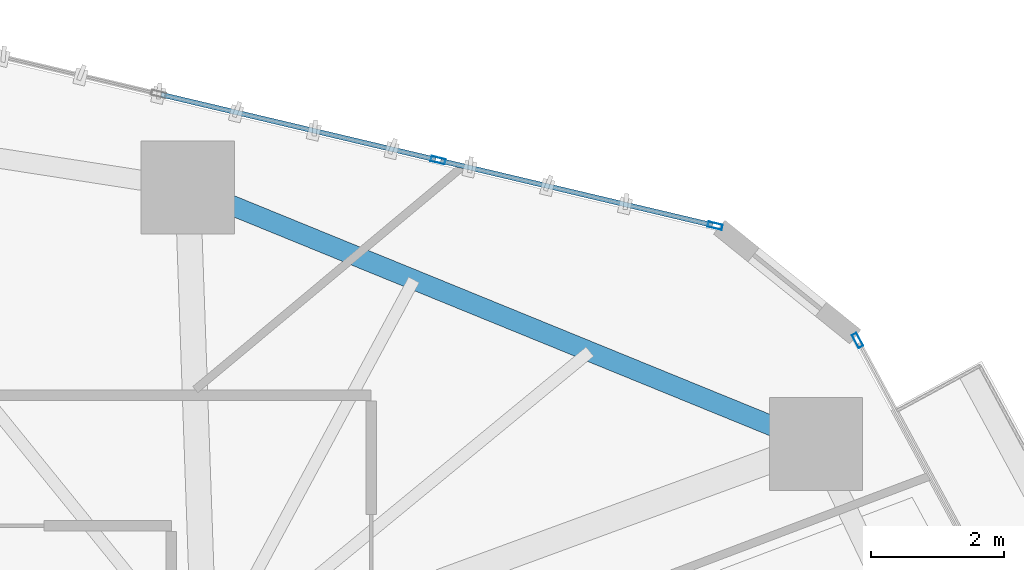
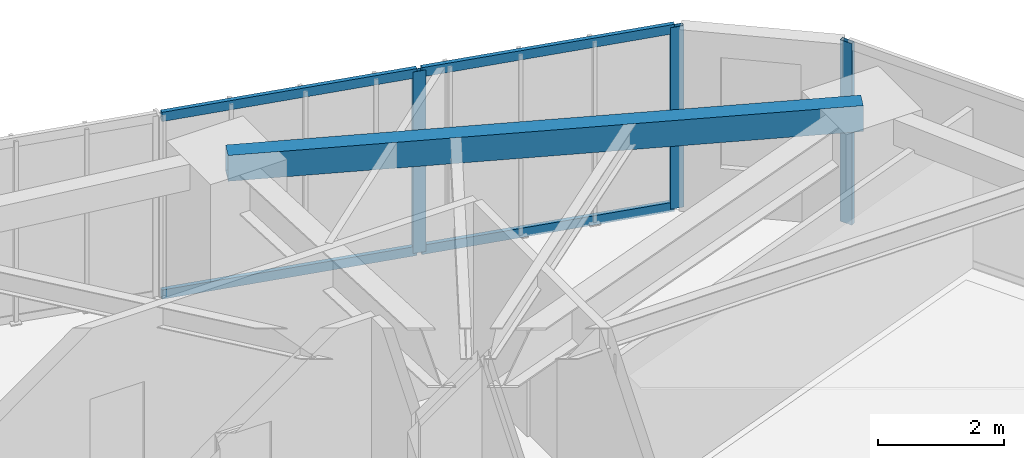
# One storey, part 15 of 23: 7 members, 1 beam, 2 elements without a shape of their own.
"""IFC4 building model written with IfcOpenShell, lengths in metres."""

from ifc_helpers import new_model, si_unit, direction, frame, origin, origin_2d, place, context, subcontext, project, spatial, hollow_rectangle, extrude, source, transform, mapped, material, layer, layer_set, material_profile, profile_set, type_object, type_shapes, element, aggregate, save


model = new_model("IFC4")

# Units and contexts
model_context = context("Model", 3, precision=1e-05, world=origin(), true_north=direction((0.0, 1.0)))
body_context = subcontext(model_context, "Body", "Model", "MODEL_VIEW")
ifc_project = project(units=[si_unit("LENGTHUNIT", "METRE"), si_unit("AREAUNIT", "SQUARE_METRE"), si_unit("VOLUMEUNIT", "CUBIC_METRE"), si_unit("PLANEANGLEUNIT", "RADIAN"), si_unit("MASSUNIT", "GRAM", prefix="KILO")], contexts=[model_context])

# Site, building, storey
site_placement = place(None, origin())
site = spatial("IfcSite", under=ifc_project, at=site_placement, CompositionType="ELEMENT")
building_placement = place(site_placement, origin())
building = spatial("IfcBuilding", under=site, at=building_placement, Name="Talar Marvaseh", CompositionType="ELEMENT")
storey_placement = place(building_placement, frame((0.0, 0.0, 50.60009765625)))
storey = spatial("IfcBuildingStorey", under=building, at=storey_placement, Name="L12", CompositionType="ELEMENT", Elevation=50.60009765625)

# Beam
ifc_material_1 = material(Name="Steel S355", Category="steel")
ifc_material_profile_1 = material_profile(ifc_material_1, hollow_rectangle(XDim=0.300048828125, YDim=0.5, WallThickness=0.02001953125, at=origin_2d()), Name="RHS500x300x20")
ifc_profile_set_1 = profile_set([ifc_material_profile_1], Name="Steel S355")
beam_type = type_object("IfcBeamType", Name="Zone 1 Perimeter Spandrel Beam RHS500x300x20", PredefinedType="SPANDREL", material=ifc_profile_set_1)
beam_placement = place(storey_placement, frame((33.0458984375, 44.117919921875, 3.27001953125), z_axis=(0.92586732306, -0.377848779395, 0.0), x_axis=(0.377848779395, 0.92586732306, 0.0)))
element("IfcBeam", 1, at=beam_placement, inside=storey, type_object=beam_type, Name="L12 Zone 1 Perimeter Spandrel Beam RHS500x300x20", PredefinedType="SPANDREL", context=body_context, shape_type="SweptSolid", body=[
    extrude(hollow_rectangle(XDim=0.300048828125, YDim=0.5, WallThickness=0.02001953125, at=origin_2d()), origin(), (0.0, 0.0, 1.0), 10.186279296875),
])

# Curtain wall, members
ifc_material_2 = material(Name="Architectural Aluminium", Category="aluminium")
ifc_layer = layer(ifc_material_2, 0.219970703125)
ifc_layer_set = layer_set([ifc_layer], Name="Architectural Aluminium")
curtain_wall_type = type_object("IfcCurtainWallType", Name="Unitised Low-E Museum Curtain Wall Z1", PredefinedType="NOTDEFINED", material=ifc_layer_set)
curtain_wall_1_placement = place(storey_placement, origin())
curtain_wall_1 = element("IfcCurtainWall", 2, at=curtain_wall_1_placement, inside=storey, type_object=curtain_wall_type, Name="L12 Unitised Low-E Museum Curtain Wall Z1", PredefinedType="NOTDEFINED")
ifc_material_profile_2 = material_profile(ifc_material_2, hollow_rectangle(XDim=0.080078125, YDim=0.219970703125, WallThickness=0.0048828125, at=origin_2d()), Name="RHS220x80x5")
ifc_profile_set_2 = profile_set([ifc_material_profile_2], Name="Architectural Aluminium")
member_type_1 = type_object("IfcMemberType", Name="Unitised Curtain Wall Heavy Mullion RHS220x80x5", PredefinedType="MULLION", material=ifc_profile_set_2)
shared_shape_1 = source(origin(), body_context, "Body", "SweptSolid", [
    extrude(hollow_rectangle(XDim=0.080078125, YDim=0.219970703125, WallThickness=0.0048828125, at=origin_2d()), origin(), (0.0, 0.0, 1.0), 3.52001953125),
])
type_shapes(member_type_1, [shared_shape_1])
member_1_placement = place(storey_placement, frame((36.803955078125, 44.52734375, 0.0), z_axis=(0.0, 0.0, 1.0), x_axis=(0.230351815158, 0.973107415064, 0.0)))
member_1 = element("IfcMember", 3, at=member_1_placement, type_object=member_type_1, Name="CW-Z1 mullion 4", PredefinedType="MULLION", context=body_context, shape_type="MappedRepresentation", body=[
    mapped(shared_shape_1, transform((0.0, 0.0, 0.0), x_axis=(1.0, 0.0, 0.0), y_axis=(0.0, 1.0, 0.0), z_axis=(0.0, 0.0, 1.0), scale=1.0)),
])
member_2_placement = place(storey_placement, frame((40.9609375, 43.543212890625, 0.0), z_axis=(0.0, 0.0, 1.0), x_axis=(0.230351815158, 0.973107415064, 0.0)))
member_2 = element("IfcMember", 4, at=member_2_placement, type_object=member_type_1, Name="CW-Z1 mullion 5", PredefinedType="MULLION", context=body_context, shape_type="MappedRepresentation", body=[
    mapped(shared_shape_1, transform((0.0, 0.0, 0.0), x_axis=(1.0, 0.0, 0.0), y_axis=(0.0, 1.0, 0.0), z_axis=(0.0, 0.0, 1.0), scale=1.0)),
])

# Curtain wall, member
curtain_wall_2_placement = place(storey_placement, origin())
curtain_wall_2 = element("IfcCurtainWall", 5, at=curtain_wall_2_placement, inside=storey, type_object=curtain_wall_type, Name="L12 Unitised Low-E Museum Curtain Wall Z1", PredefinedType="NOTDEFINED")
member_3_placement = place(storey_placement, frame((43.100341796875, 41.822509765625, 0.0), z_axis=(0.0, 0.0, 1.0), x_axis=(0.879620132192, 0.475676805238, 0.0)))
member_3 = element("IfcMember", 6, at=member_3_placement, type_object=member_type_1, Name="CW-Z1 mullion 1", PredefinedType="MULLION", context=body_context, shape_type="MappedRepresentation", body=[
    mapped(shared_shape_1, transform((0.0, 0.0, 0.0), x_axis=(1.0, 0.0, 0.0), y_axis=(0.0, 1.0, 0.0), z_axis=(0.0, 0.0, 1.0), scale=1.0)),
])
aggregate(curtain_wall_2, [member_3])

# Member
ifc_material_profile_3 = material_profile(ifc_material_2, hollow_rectangle(XDim=0.074951171875, YDim=0.179931640625, WallThickness=0.0048828125, at=origin_2d()), Name="RHS180x75x5")
ifc_profile_set_3 = profile_set([ifc_material_profile_3], Name="Architectural Aluminium")
member_type_2 = type_object("IfcMemberType", Name="Unitised Curtain Wall Transom RHS180x75x5", PredefinedType="USERDEFINED", material=ifc_profile_set_3)
shared_shape_2 = source(origin(), body_context, "Body", "SweptSolid", [
    extrude(hollow_rectangle(XDim=0.074951171875, YDim=0.179931640625, WallThickness=0.0048828125, at=origin_2d()), origin(), (0.0, 0.0, 1.0), 4.19189453125),
])
member_4_placement = place(storey_placement, frame((36.843017578125, 44.51806640625, 0.037353515625), z_axis=(0.973108465555, -0.23034737738, 0.0), x_axis=(0.23034737738, 0.973108465555, 0.0)))
member_4 = element("IfcMember", 7, at=member_4_placement, type_object=member_type_2, Name="CW-Z1 transom 4.1", ObjectType="TRANSOM", PredefinedType="USERDEFINED", context=body_context, shape_type="MappedRepresentation", body=[
    mapped(shared_shape_2, transform((0.0, 0.0, 0.0), x_axis=(1.0, 0.0, 0.0), y_axis=(0.0, 1.0, 0.0), z_axis=(0.0, 0.0, 1.0), scale=1.0)),
])

member_5_placement = place(storey_placement, frame((36.843017578125, 44.51806640625, 3.482421875), z_axis=(0.973108465555, -0.23034737738, 0.0), x_axis=(0.23034737738, 0.973108465555, 0.0)))
member_5 = element("IfcMember", 8, at=member_5_placement, type_object=member_type_2, Name="CW-Z1 transom 4.2", ObjectType="TRANSOM", PredefinedType="USERDEFINED", context=body_context, shape_type="MappedRepresentation", body=[
    mapped(shared_shape_2, transform((0.0, 0.0, 0.0), x_axis=(1.0, 0.0, 0.0), y_axis=(0.0, 1.0, 0.0), z_axis=(0.0, 0.0, 1.0), scale=1.0)),
])

shared_shape_3 = source(origin(), body_context, "Body", "SweptSolid", [
    extrude(hollow_rectangle(XDim=0.074951171875, YDim=0.179931640625, WallThickness=0.0048828125, at=origin_2d()), origin(), (0.0, 0.0, 1.0), 4.23193359375),
])
type_shapes(member_type_2, [shared_shape_2, shared_shape_3])
member_6_placement = place(storey_placement, frame((32.64697265625, 45.511474609375, 0.037353515625), z_axis=(0.973106837124, -0.230354256618, 0.0), x_axis=(0.230354256618, 0.973106837124, 0.0)))
member_6 = element("IfcMember", 9, at=member_6_placement, type_object=member_type_2, Name="CW-Z1 transom 3.1", ObjectType="TRANSOM", PredefinedType="USERDEFINED", context=body_context, shape_type="MappedRepresentation", body=[
    mapped(shared_shape_3, transform((0.0, 0.0, 0.0), x_axis=(1.0, 0.0, 0.0), y_axis=(0.0, 1.0, 0.0), z_axis=(0.0, 0.0, 1.0), scale=1.0)),
])

member_7_placement = place(storey_placement, frame((32.64697265625, 45.511474609375, 3.482421875), z_axis=(0.973106837124, -0.230354256618, 0.0), x_axis=(0.230354256618, 0.973106837124, 0.0)))
member_7 = element("IfcMember", 10, at=member_7_placement, type_object=member_type_2, Name="CW-Z1 transom 3.2", ObjectType="TRANSOM", PredefinedType="USERDEFINED", context=body_context, shape_type="MappedRepresentation", body=[
    mapped(shared_shape_3, transform((0.0, 0.0, 0.0), x_axis=(1.0, 0.0, 0.0), y_axis=(0.0, 1.0, 0.0), z_axis=(0.0, 0.0, 1.0), scale=1.0)),
])

aggregate(curtain_wall_1, [member_1, member_2, member_6, member_7, member_4, member_5])

save(model, "model.ifc")
